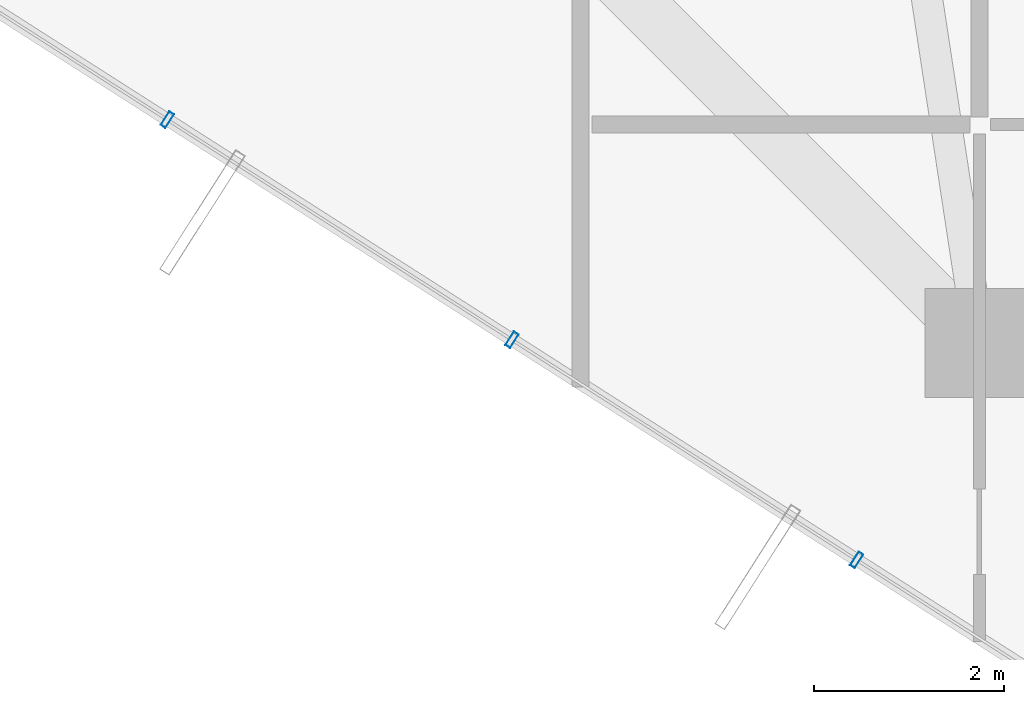
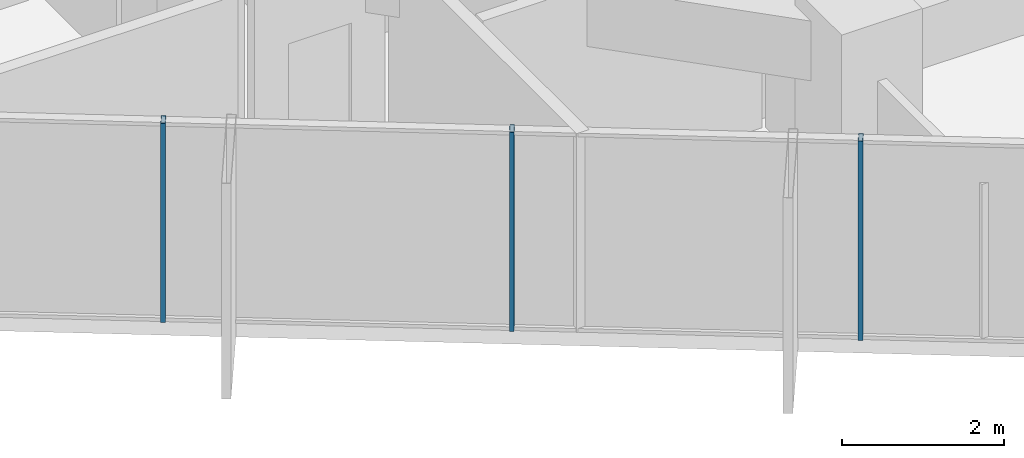
# One storey, part 2 of 30: 3 members, 1 element without a shape of its own.
"""IFC4 building model written with IfcOpenShell, lengths in metres."""

from ifc_helpers import new_model, si_unit, direction, frame, origin, origin_2d, place, context, subcontext, project, spatial, hollow_rectangle, extrude, source, transform, mapped, material, layer, layer_set, material_profile, profile_set, type_object, element, aggregate, save


model = new_model("IFC4")

# Units and contexts
model_context = context("Model", 3, precision=1e-05, world=origin(), true_north=direction((0.0, 1.0)))
body_context = subcontext(model_context, "Body", "Model", "MODEL_VIEW")
ifc_project = project(units=[si_unit("LENGTHUNIT", "METRE"), si_unit("AREAUNIT", "SQUARE_METRE"), si_unit("VOLUMEUNIT", "CUBIC_METRE"), si_unit("PLANEANGLEUNIT", "RADIAN"), si_unit("MASSUNIT", "GRAM", prefix="KILO")], contexts=[model_context])

# Site, building, storey
site_placement = place(None, origin())
site = spatial("IfcSite", under=ifc_project, at=site_placement, CompositionType="ELEMENT")
building_placement = place(site_placement, origin())
building = spatial("IfcBuilding", under=site, at=building_placement, Name="Veraguas Prism Commons", CompositionType="ELEMENT")
storey_placement = place(building_placement, frame((0.0, 0.0, 119.75)))
storey = spatial("IfcBuildingStorey", under=building, at=storey_placement, Name="L33", CompositionType="ELEMENT", Elevation=119.75)

# Curtain wall, members
ifc_material = material(Name="Anodised aluminium EN AW-6063 T6", Category="aluminium")
ifc_layer = layer(ifc_material, 0.169921875, Name="Unitised Flush Curtain Wall Zone 2", Category="aluminium")
ifc_layer_set = layer_set([ifc_layer], Name="Anodised aluminium EN AW-6063 T6")
curtain_wall_type = type_object("IfcCurtainWallType", Name="Unitised Flush Curtain Wall Zone 2", PredefinedType="NOTDEFINED", material=ifc_layer_set)
curtain_wall_placement = place(storey_placement, origin())
curtain_wall = element("IfcCurtainWall", 1, at=curtain_wall_placement, inside=storey, type_object=curtain_wall_type, Name="Tower Facade Curtain Wall L33-F4", PredefinedType="NOTDEFINED")
ifc_material_profile = material_profile(ifc_material, hollow_rectangle(XDim=0.06005859375, YDim=0.169921875, WallThickness=0.00390625, at=origin_2d()), Name="AL60X170X4")
ifc_profile_set = profile_set([ifc_material_profile], Name="Anodised aluminium EN AW-6063 T6")
member_type = type_object("IfcMemberType", Name="Curtain Wall Mullion Lower AL 60x170x4", PredefinedType="MULLION", material=ifc_profile_set)
shared_shape = source(origin(), body_context, "Body", "SweptSolid", [
    extrude(hollow_rectangle(XDim=0.06005859375, YDim=0.169921875, WallThickness=0.00390625, at=origin_2d()), origin(), (0.0, 0.0, 1.0), 3.0),
])
member_1_placement = place(storey_placement, frame((10.044921875, 10.1513671875, 0.0), z_axis=(0.0, 0.0, 1.0), x_axis=(0.842827385334, -0.538183982047, 0.0)))
member_1 = element("IfcMember", 2, at=member_1_placement, type_object=member_type, Name="CW-Z2 Mullion 2", PredefinedType="MULLION", context=body_context, shape_type="MappedRepresentation", body=[
    mapped(shared_shape, transform((0.0, 0.0, 0.0), scale=1.0)),
])
member_2_placement = place(storey_placement, frame((13.67626953125, 7.83251953125, 0.0), z_axis=(0.0, 0.0, 1.0), x_axis=(0.842827385334, -0.538183982047, 0.0)))
member_2 = element("IfcMember", 3, at=member_2_placement, type_object=member_type, Name="CW-Z2 Mullion 3", PredefinedType="MULLION", context=body_context, shape_type="MappedRepresentation", body=[
    mapped(shared_shape, transform((0.0, 0.0, 0.0), scale=1.0)),
])
member_3_placement = place(storey_placement, frame((17.3076171875, 5.513671875, 0.0), z_axis=(0.0, 0.0, 1.0), x_axis=(0.842827385334, -0.538183982047, 0.0)))
member_3 = element("IfcMember", 4, at=member_3_placement, type_object=member_type, Name="CW-Z2 Mullion 4", PredefinedType="MULLION", context=body_context, shape_type="MappedRepresentation", body=[
    mapped(shared_shape, transform((0.0, 0.0, 0.0), scale=1.0)),
])
aggregate(curtain_wall, [member_1, member_2, member_3])

save(model, "model.ifc")
